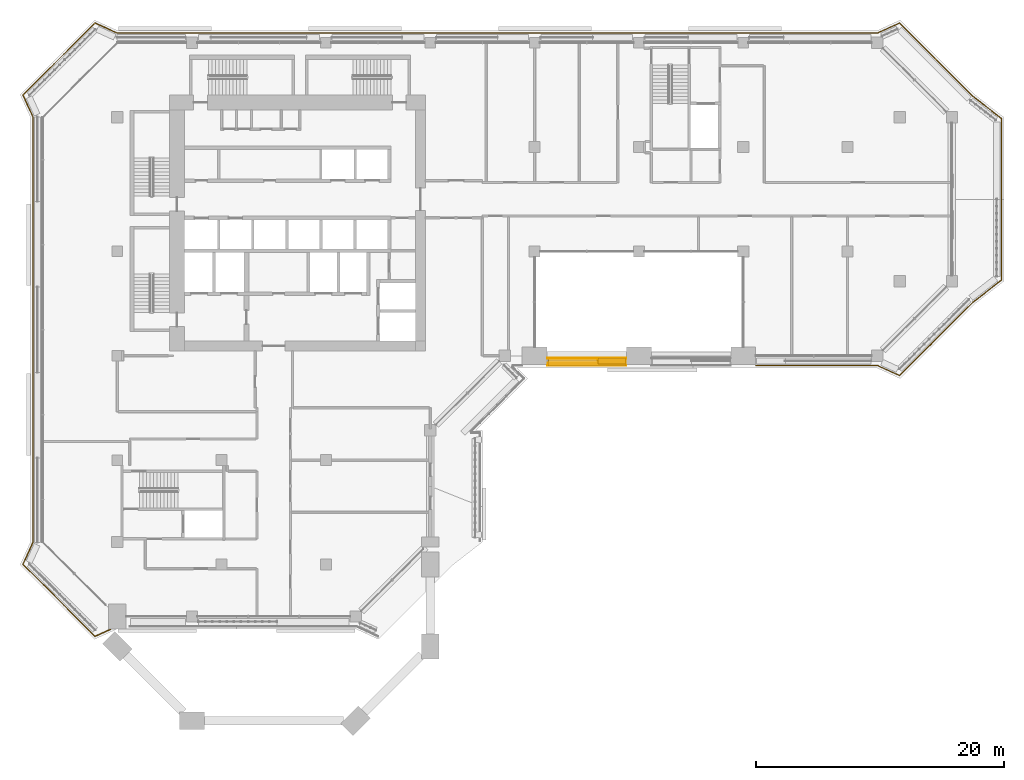
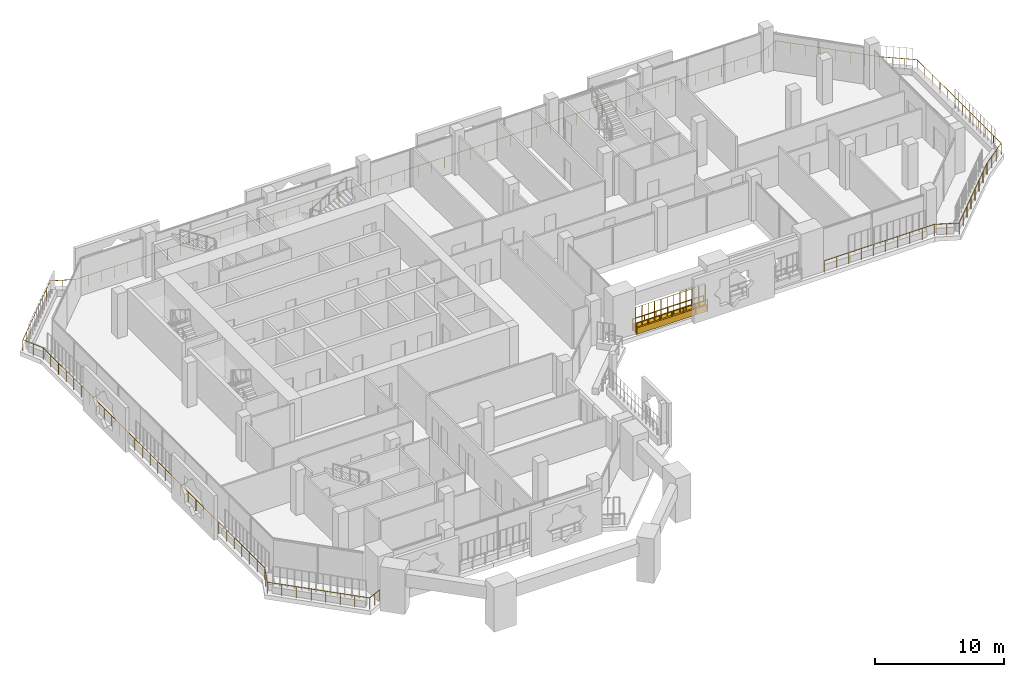
# One storey, part 19 of 23: 5 railings, 3 coverings.
"""IFC4 building model written with IfcOpenShell, lengths in metres."""

from ifc_helpers import new_model, si_unit, direction, frame, origin, origin_2d, place, context, subcontext, project, spatial, rectangle, circle, extrude, material, material_profile, profile_set, type_object, element, save


model = new_model("IFC4")

# Units and contexts
model_context = context("Model", 3, precision=1e-05, world=origin(), true_north=direction((0.0, 1.0)))
body_context = subcontext(model_context, "Body", "Model", "MODEL_VIEW")
ifc_project = project(units=[si_unit("LENGTHUNIT", "METRE"), si_unit("AREAUNIT", "SQUARE_METRE"), si_unit("VOLUMEUNIT", "CUBIC_METRE"), si_unit("PLANEANGLEUNIT", "RADIAN"), si_unit("MASSUNIT", "GRAM", prefix="KILO")], contexts=[model_context])

# Site, building, storey
site_placement = place(None, origin())
site = spatial("IfcSite", under=ifc_project, at=site_placement, CompositionType="ELEMENT")
building_placement = place(site_placement, origin())
building = spatial("IfcBuilding", under=site, at=building_placement, Name="Kawkab Arch Medical Tower", CompositionType="ELEMENT")
storey_placement = place(building_placement, frame((0.0, 0.0, 226.39990234375)))
storey = spatial("IfcBuildingStorey", under=building, at=storey_placement, Name="L52", CompositionType="ELEMENT", Elevation=226.39990234375)

# Railings
ifc_material_1 = material(Name="Bronze anodised aluminium guard", Category="aluminium")
railing_type_1 = type_object("IfcRailingType", Name="Loggia and terrace guard 1100", PredefinedType="GUARDRAIL", material=ifc_material_1)
railing_1_placement = place(storey_placement, frame((34.6298828125, -25.39990234375, 0.0)))
element("IfcRailing", 1, at=railing_1_placement, inside=storey, type_object=railing_type_1, Name="Guard L52.LOG-01.1.1", PredefinedType="GUARDRAIL", context=body_context, shape_type="SweptSolid", body=[
    extrude(circle(Radius=0.02392578125, at=origin_2d()), frame((0.0, 0.0, 1.076171875), z_axis=(1.0, 0.0, 0.0), x_axis=(0.0, 1.0, 0.0)), (0.0, 0.0, 1.0), 6.340087890625),
    extrude(circle(Radius=0.02099609375, at=origin_2d()), origin(), (0.0, 0.0, 1.0), 1.052001953125),
    extrude(circle(Radius=0.02099609375, at=origin_2d()), frame((1.056640625, 0.0, 0.0)), (0.0, 0.0, 1.0), 1.052001953125),
    extrude(circle(Radius=0.02099609375, at=origin_2d()), frame((2.11328125, 0.0, 0.0)), (0.0, 0.0, 1.0), 1.052001953125),
    extrude(circle(Radius=0.02099609375, at=origin_2d()), frame((3.169921875, 0.0, 0.0)), (0.0, 0.0, 1.0), 1.052001953125),
    extrude(circle(Radius=0.02099609375, at=origin_2d()), frame((4.226806640625, 0.0, 0.0)), (0.0, 0.0, 1.0), 1.052001953125),
    extrude(circle(Radius=0.02099609375, at=origin_2d()), frame((5.283447265625, 0.0, 0.0)), (0.0, 0.0, 1.0), 1.052001953125),
    extrude(circle(Radius=0.02099609375, at=origin_2d()), frame((6.340087890625, 0.0, 0.0)), (0.0, 0.0, 1.0), 1.052001953125),
])
railing_2_placement = place(storey_placement, frame((-0.548095703125, -47.22998046875, 0.0)))
element("IfcRailing", 2, at=railing_2_placement, inside=storey, type_object=railing_type_1, Name="Guard L52.LOG-01.2.2", PredefinedType="GUARDRAIL", context=body_context, shape_type="SweptSolid", body=[
    extrude(circle(Radius=0.02392578125, at=origin_2d()), frame((0.0, 0.0, 1.076171875), z_axis=(-0.909987760209, -0.4146351122, 0.0), x_axis=(0.4146351122, -0.909987760209, 0.0)), (0.0, 0.0, 1.0), 1.3701171875),
    extrude(circle(Radius=0.02392578125, at=origin_2d()), frame((-1.246826171875, -0.568115234375, 1.076171875), z_axis=(-0.707106781187, 0.707106781187, 0.0), x_axis=(-0.707106781187, -0.707106781187, 0.0)), (0.0, 0.0, 1.0), 8.20654296875),
    extrude(circle(Radius=0.02392578125, at=origin_2d()), frame((-7.0498046875, 5.23486328125, 1.076171875), z_axis=(0.414404752076, 0.910092688388, 0.0), x_axis=(-0.910092688388, 0.414404752076, 0.0)), (0.0, 0.0, 1.0), 1.92529296875),
    extrude(circle(Radius=0.02392578125, at=origin_2d()), frame((-6.251953125, 6.987060546875, 1.076171875), z_axis=(0.0, 1.0, 0.0), x_axis=(-1.0, 0.0, 0.0)), (0.0, 0.0, 1.0), 34.285888671875),
    extrude(circle(Radius=0.02392578125, at=origin_2d()), frame((-6.251953125, 41.27294921875, 1.076171875), z_axis=(-0.414452581809, 0.910070907914, 0.0), x_axis=(-0.910070907914, -0.414452581809, 0.0)), (0.0, 0.0, 1.0), 1.925048828125),
    extrude(circle(Radius=0.02392578125, at=origin_2d()), frame((-7.0498046875, 43.02490234375, 1.076171875), z_axis=(0.707106781187, 0.707106781187, 0.0), x_axis=(-0.707106781187, 0.707106781187, 0.0)), (0.0, 0.0, 1.0), 8.20654296875),
    extrude(circle(Radius=0.02392578125, at=origin_2d()), frame((-1.246826171875, 48.827880859375, 1.076171875), z_axis=(0.910070907914, -0.414452581809, 0.0), x_axis=(0.414452581809, 0.910070907914, 0.0)), (0.0, 0.0, 1.0), 1.925048828125),
    extrude(circle(Radius=0.02392578125, at=origin_2d()), frame((0.505126953125, 48.030029296875, 1.076171875), z_axis=(1.0, 0.0, 0.0), x_axis=(0.0, 1.0, 0.0)), (0.0, 0.0, 1.0), 61.285888671875),
    extrude(circle(Radius=0.02392578125, at=origin_2d()), frame((61.791015625, 48.030029296875, 1.076171875), z_axis=(0.910092688388, 0.414404752076, 0.0), x_axis=(-0.414404752076, 0.910092688388, 0.0)), (0.0, 0.0, 1.0), 1.92529296875),
    extrude(circle(Radius=0.02392578125, at=origin_2d()), frame((63.543212890625, 48.827880859375, 1.076171875), z_axis=(0.707106781187, -0.707106781187, 0.0), x_axis=(0.707106781187, 0.707106781187, 0.0)), (0.0, 0.0, 1.0), 8.35791015625),
    extrude(circle(Radius=0.02392578125, at=origin_2d()), frame((69.453125, 42.91796875, 1.076171875), z_axis=(0.789193964876, -0.614144026922, 0.0), x_axis=(0.614144026922, 0.789193964876, 0.0)), (0.0, 0.0, 1.0), 2.907958984375),
    extrude(circle(Radius=0.02392578125, at=origin_2d()), frame((71.748046875, 41.132080078125, 1.076171875), z_axis=(0.0, -1.0, 0.0), x_axis=(1.0, 0.0, 0.0)), (0.0, 0.0, 1.0), 13.004150390625),
    extrude(circle(Radius=0.02392578125, at=origin_2d()), frame((71.748046875, 28.1279296875, 1.076171875), z_axis=(-0.789193964876, -0.614144026922, 0.0), x_axis=(0.614144026922, -0.789193964876, 0.0)), (0.0, 0.0, 1.0), 2.907958984375),
    extrude(circle(Radius=0.02392578125, at=origin_2d()), frame((69.453125, 26.342041015625, 1.076171875), z_axis=(-0.707092175918, -0.707121386154, 0.0), x_axis=(0.707121386154, -0.707092175918, 0.0)), (0.0, 0.0, 1.0), 8.358154296875),
    extrude(circle(Radius=0.02392578125, at=origin_2d()), frame((63.543212890625, 20.431884765625, 1.076171875), z_axis=(-0.910044860056, 0.414509773934, 0.0), x_axis=(-0.414509773934, -0.910044860056, 0.0)), (0.0, 0.0, 1.0), 1.92529296875),
    extrude(circle(Radius=0.02392578125, at=origin_2d()), frame((61.791015625, 21.22998046875, 1.076171875), z_axis=(-1.0, 0.0, 0.0), x_axis=(0.0, -1.0, 0.0)), (0.0, 0.0, 1.0), 9.81298828125),
    extrude(circle(Radius=0.02099609375, at=origin_2d()), origin(), (0.0, 0.0, 1.0), 1.052001953125),
    extrude(circle(Radius=0.02099609375, at=origin_2d()), frame((-0.62353515625, -0.2841796875, 0.0)), (0.0, 0.0, 1.0), 1.052001953125),
    extrude(circle(Radius=0.02099609375, at=origin_2d()), frame((-1.246826171875, -0.568115234375, 0.0)), (0.0, 0.0, 1.0), 1.052001953125),
    extrude(circle(Radius=0.02099609375, at=origin_2d()), frame((-2.075927734375, 0.260986328125, 0.0)), (0.0, 0.0, 1.0), 1.052001953125),
    extrude(circle(Radius=0.02099609375, at=origin_2d()), frame((-2.90478515625, 1.08984375, 0.0)), (0.0, 0.0, 1.0), 1.052001953125),
    extrude(circle(Radius=0.02099609375, at=origin_2d()), frame((-3.73388671875, 1.9189453125, 0.0)), (0.0, 0.0, 1.0), 1.052001953125),
    extrude(circle(Radius=0.02099609375, at=origin_2d()), frame((-4.562744140625, 2.747802734375, 0.0)), (0.0, 0.0, 1.0), 1.052001953125),
    extrude(circle(Radius=0.02099609375, at=origin_2d()), frame((-5.391845703125, 3.576904296875, 0.0)), (0.0, 0.0, 1.0), 1.052001953125),
    extrude(circle(Radius=0.02099609375, at=origin_2d()), frame((-6.220703125, 4.40576171875, 0.0)), (0.0, 0.0, 1.0), 1.052001953125),
    extrude(circle(Radius=0.02099609375, at=origin_2d()), frame((-7.0498046875, 5.23486328125, 0.0)), (0.0, 0.0, 1.0), 1.052001953125),
    extrude(circle(Radius=0.02099609375, at=origin_2d()), frame((-6.65087890625, 6.11083984375, 0.0)), (0.0, 0.0, 1.0), 1.052001953125),
    extrude(circle(Radius=0.02099609375, at=origin_2d()), frame((-6.251953125, 6.987060546875, 0.0)), (0.0, 0.0, 1.0), 1.052001953125),
    extrude(circle(Radius=0.02099609375, at=origin_2d()), frame((-6.251953125, 8.16943359375, 0.0)), (0.0, 0.0, 1.0), 1.052001953125),
    extrude(circle(Radius=0.02099609375, at=origin_2d()), frame((-6.251953125, 9.3515625, 0.0)), (0.0, 0.0, 1.0), 1.052001953125),
    extrude(circle(Radius=0.02099609375, at=origin_2d()), frame((-6.251953125, 10.533935546875, 0.0)), (0.0, 0.0, 1.0), 1.052001953125),
    extrude(circle(Radius=0.02099609375, at=origin_2d()), frame((-6.251953125, 11.716064453125, 0.0)), (0.0, 0.0, 1.0), 1.052001953125),
    extrude(circle(Radius=0.02099609375, at=origin_2d()), frame((-6.251953125, 12.8984375, 0.0)), (0.0, 0.0, 1.0), 1.052001953125),
    extrude(circle(Radius=0.02099609375, at=origin_2d()), frame((-6.251953125, 14.080810546875, 0.0)), (0.0, 0.0, 1.0), 1.052001953125),
    extrude(circle(Radius=0.02099609375, at=origin_2d()), frame((-6.251953125, 15.262939453125, 0.0)), (0.0, 0.0, 1.0), 1.052001953125),
    extrude(circle(Radius=0.02099609375, at=origin_2d()), frame((-6.251953125, 16.4453125, 0.0)), (0.0, 0.0, 1.0), 1.052001953125),
    extrude(circle(Radius=0.02099609375, at=origin_2d()), frame((-6.251953125, 17.62744140625, 0.0)), (0.0, 0.0, 1.0), 1.052001953125),
    extrude(circle(Radius=0.02099609375, at=origin_2d()), frame((-6.251953125, 18.809814453125, 0.0)), (0.0, 0.0, 1.0), 1.052001953125),
    extrude(circle(Radius=0.02099609375, at=origin_2d()), frame((-6.251953125, 19.991943359375, 0.0)), (0.0, 0.0, 1.0), 1.052001953125),
    extrude(circle(Radius=0.02099609375, at=origin_2d()), frame((-6.251953125, 21.17431640625, 0.0)), (0.0, 0.0, 1.0), 1.052001953125),
    extrude(circle(Radius=0.02099609375, at=origin_2d()), frame((-6.251953125, 22.356689453125, 0.0)), (0.0, 0.0, 1.0), 1.052001953125),
    extrude(circle(Radius=0.02099609375, at=origin_2d()), frame((-6.251953125, 23.538818359375, 0.0)), (0.0, 0.0, 1.0), 1.052001953125),
    extrude(circle(Radius=0.02099609375, at=origin_2d()), frame((-6.251953125, 24.72119140625, 0.0)), (0.0, 0.0, 1.0), 1.052001953125),
    extrude(circle(Radius=0.02099609375, at=origin_2d()), frame((-6.251953125, 25.9033203125, 0.0)), (0.0, 0.0, 1.0), 1.052001953125),
    extrude(circle(Radius=0.02099609375, at=origin_2d()), frame((-6.251953125, 27.085693359375, 0.0)), (0.0, 0.0, 1.0), 1.052001953125),
    extrude(circle(Radius=0.02099609375, at=origin_2d()), frame((-6.251953125, 28.26806640625, 0.0)), (0.0, 0.0, 1.0), 1.052001953125),
    extrude(circle(Radius=0.02099609375, at=origin_2d()), frame((-6.251953125, 29.4501953125, 0.0)), (0.0, 0.0, 1.0), 1.052001953125),
    extrude(circle(Radius=0.02099609375, at=origin_2d()), frame((-6.251953125, 30.632568359375, 0.0)), (0.0, 0.0, 1.0), 1.052001953125),
    extrude(circle(Radius=0.02099609375, at=origin_2d()), frame((-6.251953125, 31.814697265625, 0.0)), (0.0, 0.0, 1.0), 1.052001953125),
    extrude(circle(Radius=0.02099609375, at=origin_2d()), frame((-6.251953125, 32.9970703125, 0.0)), (0.0, 0.0, 1.0), 1.052001953125),
    extrude(circle(Radius=0.02099609375, at=origin_2d()), frame((-6.251953125, 34.17919921875, 0.0)), (0.0, 0.0, 1.0), 1.052001953125),
    extrude(circle(Radius=0.02099609375, at=origin_2d()), frame((-6.251953125, 35.361572265625, 0.0)), (0.0, 0.0, 1.0), 1.052001953125),
    extrude(circle(Radius=0.02099609375, at=origin_2d()), frame((-6.251953125, 36.5439453125, 0.0)), (0.0, 0.0, 1.0), 1.052001953125),
    extrude(circle(Radius=0.02099609375, at=origin_2d()), frame((-6.251953125, 37.72607421875, 0.0)), (0.0, 0.0, 1.0), 1.052001953125),
    extrude(circle(Radius=0.02099609375, at=origin_2d()), frame((-6.251953125, 38.908447265625, 0.0)), (0.0, 0.0, 1.0), 1.052001953125),
    extrude(circle(Radius=0.02099609375, at=origin_2d()), frame((-6.251953125, 40.090576171875, 0.0)), (0.0, 0.0, 1.0), 1.052001953125),
    extrude(circle(Radius=0.02099609375, at=origin_2d()), frame((-6.251953125, 41.27294921875, 0.0)), (0.0, 0.0, 1.0), 1.052001953125),
    extrude(circle(Radius=0.02099609375, at=origin_2d()), frame((-6.65087890625, 42.14892578125, 0.0)), (0.0, 0.0, 1.0), 1.052001953125),
    extrude(circle(Radius=0.02099609375, at=origin_2d()), frame((-7.0498046875, 43.02490234375, 0.0)), (0.0, 0.0, 1.0), 1.052001953125),
    extrude(circle(Radius=0.02099609375, at=origin_2d()), frame((-6.220703125, 43.85400390625, 0.0)), (0.0, 0.0, 1.0), 1.052001953125),
    extrude(circle(Radius=0.02099609375, at=origin_2d()), frame((-5.391845703125, 44.682861328125, 0.0)), (0.0, 0.0, 1.0), 1.052001953125),
    extrude(circle(Radius=0.02099609375, at=origin_2d()), frame((-4.562744140625, 45.511962890625, 0.0)), (0.0, 0.0, 1.0), 1.052001953125),
    extrude(circle(Radius=0.02099609375, at=origin_2d()), frame((-3.73388671875, 46.3408203125, 0.0)), (0.0, 0.0, 1.0), 1.052001953125),
    extrude(circle(Radius=0.02099609375, at=origin_2d()), frame((-2.90478515625, 47.169921875, 0.0)), (0.0, 0.0, 1.0), 1.052001953125),
    extrude(circle(Radius=0.02099609375, at=origin_2d()), frame((-2.075927734375, 47.998779296875, 0.0)), (0.0, 0.0, 1.0), 1.052001953125),
    extrude(circle(Radius=0.02099609375, at=origin_2d()), frame((-1.246826171875, 48.827880859375, 0.0)), (0.0, 0.0, 1.0), 1.052001953125),
    extrude(circle(Radius=0.02099609375, at=origin_2d()), frame((-0.370849609375, 48.428955078125, 0.0)), (0.0, 0.0, 1.0), 1.052001953125),
    extrude(circle(Radius=0.02099609375, at=origin_2d()), frame((0.505126953125, 48.030029296875, 0.0)), (0.0, 0.0, 1.0), 1.052001953125),
    extrude(circle(Radius=0.02099609375, at=origin_2d()), frame((1.68359375, 48.030029296875, 0.0)), (0.0, 0.0, 1.0), 1.052001953125),
    extrude(circle(Radius=0.02099609375, at=origin_2d()), frame((2.8623046875, 48.030029296875, 0.0)), (0.0, 0.0, 1.0), 1.052001953125),
    extrude(circle(Radius=0.02099609375, at=origin_2d()), frame((4.040771484375, 48.030029296875, 0.0)), (0.0, 0.0, 1.0), 1.052001953125),
    extrude(circle(Radius=0.02099609375, at=origin_2d()), frame((5.219482421875, 48.030029296875, 0.0)), (0.0, 0.0, 1.0), 1.052001953125),
    extrude(circle(Radius=0.02099609375, at=origin_2d()), frame((6.39794921875, 48.030029296875, 0.0)), (0.0, 0.0, 1.0), 1.052001953125),
    extrude(circle(Radius=0.02099609375, at=origin_2d()), frame((7.57666015625, 48.030029296875, 0.0)), (0.0, 0.0, 1.0), 1.052001953125),
    extrude(circle(Radius=0.02099609375, at=origin_2d()), frame((8.755126953125, 48.030029296875, 0.0)), (0.0, 0.0, 1.0), 1.052001953125),
    extrude(circle(Radius=0.02099609375, at=origin_2d()), frame((9.933837890625, 48.030029296875, 0.0)), (0.0, 0.0, 1.0), 1.052001953125),
    extrude(circle(Radius=0.02099609375, at=origin_2d()), frame((11.1123046875, 48.030029296875, 0.0)), (0.0, 0.0, 1.0), 1.052001953125),
    extrude(circle(Radius=0.02099609375, at=origin_2d()), frame((12.290771484375, 48.030029296875, 0.0)), (0.0, 0.0, 1.0), 1.052001953125),
    extrude(circle(Radius=0.02099609375, at=origin_2d()), frame((13.469482421875, 48.030029296875, 0.0)), (0.0, 0.0, 1.0), 1.052001953125),
    extrude(circle(Radius=0.02099609375, at=origin_2d()), frame((14.64794921875, 48.030029296875, 0.0)), (0.0, 0.0, 1.0), 1.052001953125),
    extrude(circle(Radius=0.02099609375, at=origin_2d()), frame((15.82666015625, 48.030029296875, 0.0)), (0.0, 0.0, 1.0), 1.052001953125),
    extrude(circle(Radius=0.02099609375, at=origin_2d()), frame((17.005126953125, 48.030029296875, 0.0)), (0.0, 0.0, 1.0), 1.052001953125),
    extrude(circle(Radius=0.02099609375, at=origin_2d()), frame((18.183837890625, 48.030029296875, 0.0)), (0.0, 0.0, 1.0), 1.052001953125),
    extrude(circle(Radius=0.02099609375, at=origin_2d()), frame((19.3623046875, 48.030029296875, 0.0)), (0.0, 0.0, 1.0), 1.052001953125),
    extrude(circle(Radius=0.02099609375, at=origin_2d()), frame((20.541015625, 48.030029296875, 0.0)), (0.0, 0.0, 1.0), 1.052001953125),
    extrude(circle(Radius=0.02099609375, at=origin_2d()), frame((21.719482421875, 48.030029296875, 0.0)), (0.0, 0.0, 1.0), 1.052001953125),
    extrude(circle(Radius=0.02099609375, at=origin_2d()), frame((22.89794921875, 48.030029296875, 0.0)), (0.0, 0.0, 1.0), 1.052001953125),
    extrude(circle(Radius=0.02099609375, at=origin_2d()), frame((24.07666015625, 48.030029296875, 0.0)), (0.0, 0.0, 1.0), 1.052001953125),
    extrude(circle(Radius=0.02099609375, at=origin_2d()), frame((25.255126953125, 48.030029296875, 0.0)), (0.0, 0.0, 1.0), 1.052001953125),
    extrude(circle(Radius=0.02099609375, at=origin_2d()), frame((26.433837890625, 48.030029296875, 0.0)), (0.0, 0.0, 1.0), 1.052001953125),
    extrude(circle(Radius=0.02099609375, at=origin_2d()), frame((27.6123046875, 48.030029296875, 0.0)), (0.0, 0.0, 1.0), 1.052001953125),
    extrude(circle(Radius=0.02099609375, at=origin_2d()), frame((28.791015625, 48.030029296875, 0.0)), (0.0, 0.0, 1.0), 1.052001953125),
    extrude(circle(Radius=0.02099609375, at=origin_2d()), frame((29.969482421875, 48.030029296875, 0.0)), (0.0, 0.0, 1.0), 1.052001953125),
    extrude(circle(Radius=0.02099609375, at=origin_2d()), frame((31.14794921875, 48.030029296875, 0.0)), (0.0, 0.0, 1.0), 1.052001953125),
    extrude(circle(Radius=0.02099609375, at=origin_2d()), frame((32.32666015625, 48.030029296875, 0.0)), (0.0, 0.0, 1.0), 1.052001953125),
    extrude(circle(Radius=0.02099609375, at=origin_2d()), frame((33.505126953125, 48.030029296875, 0.0)), (0.0, 0.0, 1.0), 1.052001953125),
    extrude(circle(Radius=0.02099609375, at=origin_2d()), frame((34.683837890625, 48.030029296875, 0.0)), (0.0, 0.0, 1.0), 1.052001953125),
    extrude(circle(Radius=0.02099609375, at=origin_2d()), frame((35.8623046875, 48.030029296875, 0.0)), (0.0, 0.0, 1.0), 1.052001953125),
    extrude(circle(Radius=0.02099609375, at=origin_2d()), frame((37.041015625, 48.030029296875, 0.0)), (0.0, 0.0, 1.0), 1.052001953125),
    extrude(circle(Radius=0.02099609375, at=origin_2d()), frame((38.219482421875, 48.030029296875, 0.0)), (0.0, 0.0, 1.0), 1.052001953125),
    extrude(circle(Radius=0.02099609375, at=origin_2d()), frame((39.398193359375, 48.030029296875, 0.0)), (0.0, 0.0, 1.0), 1.052001953125),
    extrude(circle(Radius=0.02099609375, at=origin_2d()), frame((40.57666015625, 48.030029296875, 0.0)), (0.0, 0.0, 1.0), 1.052001953125),
    extrude(circle(Radius=0.02099609375, at=origin_2d()), frame((41.755126953125, 48.030029296875, 0.0)), (0.0, 0.0, 1.0), 1.052001953125),
    extrude(circle(Radius=0.02099609375, at=origin_2d()), frame((42.933837890625, 48.030029296875, 0.0)), (0.0, 0.0, 1.0), 1.052001953125),
    extrude(circle(Radius=0.02099609375, at=origin_2d()), frame((44.1123046875, 48.030029296875, 0.0)), (0.0, 0.0, 1.0), 1.052001953125),
    extrude(circle(Radius=0.02099609375, at=origin_2d()), frame((45.291015625, 48.030029296875, 0.0)), (0.0, 0.0, 1.0), 1.052001953125),
    extrude(circle(Radius=0.02099609375, at=origin_2d()), frame((46.469482421875, 48.030029296875, 0.0)), (0.0, 0.0, 1.0), 1.052001953125),
    extrude(circle(Radius=0.02099609375, at=origin_2d()), frame((47.648193359375, 48.030029296875, 0.0)), (0.0, 0.0, 1.0), 1.052001953125),
    extrude(circle(Radius=0.02099609375, at=origin_2d()), frame((48.82666015625, 48.030029296875, 0.0)), (0.0, 0.0, 1.0), 1.052001953125),
    extrude(circle(Radius=0.02099609375, at=origin_2d()), frame((50.00537109375, 48.030029296875, 0.0)), (0.0, 0.0, 1.0), 1.052001953125),
    extrude(circle(Radius=0.02099609375, at=origin_2d()), frame((51.183837890625, 48.030029296875, 0.0)), (0.0, 0.0, 1.0), 1.052001953125),
    extrude(circle(Radius=0.02099609375, at=origin_2d()), frame((52.3623046875, 48.030029296875, 0.0)), (0.0, 0.0, 1.0), 1.052001953125),
    extrude(circle(Radius=0.02099609375, at=origin_2d()), frame((53.541015625, 48.030029296875, 0.0)), (0.0, 0.0, 1.0), 1.052001953125),
    extrude(circle(Radius=0.02099609375, at=origin_2d()), frame((54.719482421875, 48.030029296875, 0.0)), (0.0, 0.0, 1.0), 1.052001953125),
    extrude(circle(Radius=0.02099609375, at=origin_2d()), frame((55.898193359375, 48.030029296875, 0.0)), (0.0, 0.0, 1.0), 1.052001953125),
    extrude(circle(Radius=0.02099609375, at=origin_2d()), frame((57.07666015625, 48.030029296875, 0.0)), (0.0, 0.0, 1.0), 1.052001953125),
    extrude(circle(Radius=0.02099609375, at=origin_2d()), frame((58.25537109375, 48.030029296875, 0.0)), (0.0, 0.0, 1.0), 1.052001953125),
    extrude(circle(Radius=0.02099609375, at=origin_2d()), frame((59.433837890625, 48.030029296875, 0.0)), (0.0, 0.0, 1.0), 1.052001953125),
    extrude(circle(Radius=0.02099609375, at=origin_2d()), frame((60.612548828125, 48.030029296875, 0.0)), (0.0, 0.0, 1.0), 1.052001953125),
    extrude(circle(Radius=0.02099609375, at=origin_2d()), frame((61.791015625, 48.030029296875, 0.0)), (0.0, 0.0, 1.0), 1.052001953125),
    extrude(circle(Radius=0.02099609375, at=origin_2d()), frame((62.6669921875, 48.428955078125, 0.0)), (0.0, 0.0, 1.0), 1.052001953125),
    extrude(circle(Radius=0.02099609375, at=origin_2d()), frame((63.543212890625, 48.827880859375, 0.0)), (0.0, 0.0, 1.0), 1.052001953125),
    extrude(circle(Radius=0.02099609375, at=origin_2d()), frame((64.387451171875, 47.983642578125, 0.0)), (0.0, 0.0, 1.0), 1.052001953125),
    extrude(circle(Radius=0.02099609375, at=origin_2d()), frame((65.231689453125, 47.139404296875, 0.0)), (0.0, 0.0, 1.0), 1.052001953125),
    extrude(circle(Radius=0.02099609375, at=origin_2d()), frame((66.075927734375, 46.295166015625, 0.0)), (0.0, 0.0, 1.0), 1.052001953125),
    extrude(circle(Radius=0.02099609375, at=origin_2d()), frame((66.92041015625, 45.45068359375, 0.0)), (0.0, 0.0, 1.0), 1.052001953125),
    extrude(circle(Radius=0.02099609375, at=origin_2d()), frame((67.7646484375, 44.6064453125, 0.0)), (0.0, 0.0, 1.0), 1.052001953125),
    extrude(circle(Radius=0.02099609375, at=origin_2d()), frame((68.60888671875, 43.76220703125, 0.0)), (0.0, 0.0, 1.0), 1.052001953125),
    extrude(circle(Radius=0.02099609375, at=origin_2d()), frame((69.453125, 42.91796875, 0.0)), (0.0, 0.0, 1.0), 1.052001953125),
    extrude(circle(Radius=0.02099609375, at=origin_2d()), frame((70.218017578125, 42.32275390625, 0.0)), (0.0, 0.0, 1.0), 1.052001953125),
    extrude(circle(Radius=0.02099609375, at=origin_2d()), frame((70.983154296875, 41.727294921875, 0.0)), (0.0, 0.0, 1.0), 1.052001953125),
    extrude(circle(Radius=0.02099609375, at=origin_2d()), frame((71.748046875, 41.132080078125, 0.0)), (0.0, 0.0, 1.0), 1.052001953125),
    extrude(circle(Radius=0.02099609375, at=origin_2d()), frame((71.748046875, 39.949951171875, 0.0)), (0.0, 0.0, 1.0), 1.052001953125),
    extrude(circle(Radius=0.02099609375, at=origin_2d()), frame((71.748046875, 38.767578125, 0.0)), (0.0, 0.0, 1.0), 1.052001953125),
    extrude(circle(Radius=0.02099609375, at=origin_2d()), frame((71.748046875, 37.58544921875, 0.0)), (0.0, 0.0, 1.0), 1.052001953125),
    extrude(circle(Radius=0.02099609375, at=origin_2d()), frame((71.748046875, 36.4033203125, 0.0)), (0.0, 0.0, 1.0), 1.052001953125),
    extrude(circle(Radius=0.02099609375, at=origin_2d()), frame((71.748046875, 35.22119140625, 0.0)), (0.0, 0.0, 1.0), 1.052001953125),
    extrude(circle(Radius=0.02099609375, at=origin_2d()), frame((71.748046875, 34.038818359375, 0.0)), (0.0, 0.0, 1.0), 1.052001953125),
    extrude(circle(Radius=0.02099609375, at=origin_2d()), frame((71.748046875, 32.856689453125, 0.0)), (0.0, 0.0, 1.0), 1.052001953125),
    extrude(circle(Radius=0.02099609375, at=origin_2d()), frame((71.748046875, 31.674560546875, 0.0)), (0.0, 0.0, 1.0), 1.052001953125),
    extrude(circle(Radius=0.02099609375, at=origin_2d()), frame((71.748046875, 30.492431640625, 0.0)), (0.0, 0.0, 1.0), 1.052001953125),
    extrude(circle(Radius=0.02099609375, at=origin_2d()), frame((71.748046875, 29.31005859375, 0.0)), (0.0, 0.0, 1.0), 1.052001953125),
    extrude(circle(Radius=0.02099609375, at=origin_2d()), frame((71.748046875, 28.1279296875, 0.0)), (0.0, 0.0, 1.0), 1.052001953125),
    extrude(circle(Radius=0.02099609375, at=origin_2d()), frame((70.983154296875, 27.53271484375, 0.0)), (0.0, 0.0, 1.0), 1.052001953125),
    extrude(circle(Radius=0.02099609375, at=origin_2d()), frame((70.218017578125, 26.937255859375, 0.0)), (0.0, 0.0, 1.0), 1.052001953125),
    extrude(circle(Radius=0.02099609375, at=origin_2d()), frame((69.453125, 26.342041015625, 0.0)), (0.0, 0.0, 1.0), 1.052001953125),
    extrude(circle(Radius=0.02099609375, at=origin_2d()), frame((68.60888671875, 25.497802734375, 0.0)), (0.0, 0.0, 1.0), 1.052001953125),
    extrude(circle(Radius=0.02099609375, at=origin_2d()), frame((67.7646484375, 24.6533203125, 0.0)), (0.0, 0.0, 1.0), 1.052001953125),
    extrude(circle(Radius=0.02099609375, at=origin_2d()), frame((66.92041015625, 23.80908203125, 0.0)), (0.0, 0.0, 1.0), 1.052001953125),
    extrude(circle(Radius=0.02099609375, at=origin_2d()), frame((66.075927734375, 22.96484375, 0.0)), (0.0, 0.0, 1.0), 1.052001953125),
    extrude(circle(Radius=0.02099609375, at=origin_2d()), frame((65.231689453125, 22.12060546875, 0.0)), (0.0, 0.0, 1.0), 1.052001953125),
    extrude(circle(Radius=0.02099609375, at=origin_2d()), frame((64.387451171875, 21.276123046875, 0.0)), (0.0, 0.0, 1.0), 1.052001953125),
    extrude(circle(Radius=0.02099609375, at=origin_2d()), frame((63.543212890625, 20.431884765625, 0.0)), (0.0, 0.0, 1.0), 1.052001953125),
    extrude(circle(Radius=0.02099609375, at=origin_2d()), frame((62.6669921875, 20.8310546875, 0.0)), (0.0, 0.0, 1.0), 1.052001953125),
    extrude(circle(Radius=0.02099609375, at=origin_2d()), frame((61.791015625, 21.22998046875, 0.0)), (0.0, 0.0, 1.0), 1.052001953125),
    extrude(circle(Radius=0.02099609375, at=origin_2d()), frame((60.70068359375, 21.22998046875, 0.0)), (0.0, 0.0, 1.0), 1.052001953125),
    extrude(circle(Radius=0.02099609375, at=origin_2d()), frame((59.6103515625, 21.22998046875, 0.0)), (0.0, 0.0, 1.0), 1.052001953125),
    extrude(circle(Radius=0.02099609375, at=origin_2d()), frame((58.52001953125, 21.22998046875, 0.0)), (0.0, 0.0, 1.0), 1.052001953125),
    extrude(circle(Radius=0.02099609375, at=origin_2d()), frame((57.4296875, 21.22998046875, 0.0)), (0.0, 0.0, 1.0), 1.052001953125),
    extrude(circle(Radius=0.02099609375, at=origin_2d()), frame((56.33935546875, 21.22998046875, 0.0)), (0.0, 0.0, 1.0), 1.052001953125),
    extrude(circle(Radius=0.02099609375, at=origin_2d()), frame((55.2490234375, 21.22998046875, 0.0)), (0.0, 0.0, 1.0), 1.052001953125),
    extrude(circle(Radius=0.02099609375, at=origin_2d()), frame((54.15869140625, 21.22998046875, 0.0)), (0.0, 0.0, 1.0), 1.052001953125),
    extrude(circle(Radius=0.02099609375, at=origin_2d()), frame((53.068359375, 21.22998046875, 0.0)), (0.0, 0.0, 1.0), 1.052001953125),
    extrude(circle(Radius=0.02099609375, at=origin_2d()), frame((51.97802734375, 21.22998046875, 0.0)), (0.0, 0.0, 1.0), 1.052001953125),
])
railing_3_placement = place(storey_placement, frame((40.969970703125, -26.0, 0.0)))
element("IfcRailing", 3, at=railing_3_placement, inside=storey, type_object=railing_type_1, Name="Guard L52.LOG-01.2.4", PredefinedType="GUARDRAIL", context=body_context, shape_type="SweptSolid", body=[
    extrude(circle(Radius=0.02392578125, at=origin_2d()), frame((0.0, 0.0, 1.076171875), z_axis=(-1.0, 0.0, 0.0), x_axis=(0.0, -1.0, 0.0)), (0.0, 0.0, 1.0), 6.340087890625),
    extrude(circle(Radius=0.02099609375, at=origin_2d()), origin(), (0.0, 0.0, 1.0), 1.052001953125),
    extrude(circle(Radius=0.02099609375, at=origin_2d()), frame((-1.056640625, 0.0, 0.0)), (0.0, 0.0, 1.0), 1.052001953125),
    extrude(circle(Radius=0.02099609375, at=origin_2d()), frame((-2.11328125, 0.0, 0.0)), (0.0, 0.0, 1.0), 1.052001953125),
    extrude(circle(Radius=0.02099609375, at=origin_2d()), frame((-3.169921875, 0.0, 0.0)), (0.0, 0.0, 1.0), 1.052001953125),
    extrude(circle(Radius=0.02099609375, at=origin_2d()), frame((-4.226806640625, 0.0, 0.0)), (0.0, 0.0, 1.0), 1.052001953125),
    extrude(circle(Radius=0.02099609375, at=origin_2d()), frame((-5.283447265625, 0.0, 0.0)), (0.0, 0.0, 1.0), 1.052001953125),
    extrude(circle(Radius=0.02099609375, at=origin_2d()), frame((-6.340087890625, 0.0, 0.0)), (0.0, 0.0, 1.0), 1.052001953125),
])

# Coverings
ifc_material_2 = material(Name="Planting soil in a precast trough", Category="concrete")
ifc_material_profile = material_profile(ifc_material_2, rectangle(XDim=0.5, YDim=0.60009765625, at=origin_2d()), Name="Trough 500x600")
ifc_profile_set = profile_set([ifc_material_profile], Name="Planting soil in a precast trough")
covering_type = type_object("IfcCoveringType", Name="Planter trough 500 x 600", PredefinedType="USERDEFINED", material=ifc_profile_set)
covering_1_placement = place(storey_placement, frame((34.679931640625, -25.780029296875, 0.300048828125), z_axis=(1.0, 0.0, 0.0), x_axis=(0.0, 1.0, 0.0)))
element("IfcCovering", 4, at=covering_1_placement, inside=storey, type_object=covering_type, Name="Planter L52.LOG-01-01.1", ObjectType="PLANTER", PredefinedType="USERDEFINED", context=body_context, shape_type="SweptSolid", body=[
    extrude(rectangle(XDim=0.5, YDim=0.60009765625, at=origin_2d()), origin(), (0.0, 0.0, 1.0), 6.239990234375),
])
covering_2_placement = place(storey_placement, frame((40.919921875, -25.6201171875, 0.300048828125), z_axis=(-1.0, 0.0, 0.0), x_axis=(0.0, -1.0, 0.0)))
element("IfcCovering", 5, at=covering_2_placement, inside=storey, type_object=covering_type, Name="Planter L52.LOG-01-02.41", ObjectType="PLANTER", PredefinedType="USERDEFINED", context=body_context, shape_type="SweptSolid", body=[
    extrude(rectangle(XDim=0.5, YDim=0.60009765625, at=origin_2d()), origin(), (0.0, 0.0, 1.0), 2.199951171875),
])
covering_3_placement = place(storey_placement, frame((38.719970703125, -25.6201171875, 0.300048828125), z_axis=(-1.0, 0.0, 0.0), x_axis=(0.0, -1.0, 0.0)))
element("IfcCovering", 6, at=covering_3_placement, inside=storey, type_object=covering_type, Name="Planter L52.LOG-01-02.42", ObjectType="PLANTER", PredefinedType="USERDEFINED", context=body_context, shape_type="SweptSolid", body=[
    extrude(rectangle(XDim=0.5, YDim=0.60009765625, at=origin_2d()), origin(), (0.0, 0.0, 1.0), 4.0400390625),
])

# Railings
ifc_material_3 = material(Name="Bronze anodised aluminium trellis for climbing plants", Category="aluminium")
railing_type_2 = type_object("IfcRailingType", Name="Planting trellis 2400", PredefinedType="USERDEFINED", material=ifc_material_3)
railing_4_placement = place(storey_placement, frame((34.679931640625, -25.780029296875, 0.0)))
element("IfcRailing", 7, at=railing_4_placement, inside=storey, type_object=railing_type_2, Name="Planting trellis L52.LOG-01-01.1", ObjectType="TRELLIS", PredefinedType="USERDEFINED", context=body_context, shape_type="SweptSolid", body=[
    extrude(circle(Radius=0.01513671875, at=origin_2d()), frame((0.0, 0.0, 2.384765625), z_axis=(1.0, 0.0, 0.0), x_axis=(0.0, 1.0, 0.0)), (0.0, 0.0, 1.0), 6.239990234375),
    extrude(circle(Radius=0.030029296875, at=origin_2d()), origin(), (0.0, 0.0, 1.0), 2.369873046875),
    extrude(circle(Radius=0.030029296875, at=origin_2d()), frame((0.5673828125, 0.0, 0.0)), (0.0, 0.0, 1.0), 2.369873046875),
    extrude(circle(Radius=0.030029296875, at=origin_2d()), frame((1.134521484375, 0.0, 0.0)), (0.0, 0.0, 1.0), 2.369873046875),
    extrude(circle(Radius=0.030029296875, at=origin_2d()), frame((1.701904296875, 0.0, 0.0)), (0.0, 0.0, 1.0), 2.369873046875),
    extrude(circle(Radius=0.030029296875, at=origin_2d()), frame((2.26904296875, 0.0, 0.0)), (0.0, 0.0, 1.0), 2.369873046875),
    extrude(circle(Radius=0.030029296875, at=origin_2d()), frame((2.83642578125, 0.0, 0.0)), (0.0, 0.0, 1.0), 2.369873046875),
    extrude(circle(Radius=0.030029296875, at=origin_2d()), frame((3.403564453125, 0.0, 0.0)), (0.0, 0.0, 1.0), 2.369873046875),
    extrude(circle(Radius=0.030029296875, at=origin_2d()), frame((3.970947265625, 0.0, 0.0)), (0.0, 0.0, 1.0), 2.369873046875),
    extrude(circle(Radius=0.030029296875, at=origin_2d()), frame((4.5380859375, 0.0, 0.0)), (0.0, 0.0, 1.0), 2.369873046875),
    extrude(circle(Radius=0.030029296875, at=origin_2d()), frame((5.10546875, 0.0, 0.0)), (0.0, 0.0, 1.0), 2.369873046875),
    extrude(circle(Radius=0.030029296875, at=origin_2d()), frame((5.672607421875, 0.0, 0.0)), (0.0, 0.0, 1.0), 2.369873046875),
    extrude(circle(Radius=0.030029296875, at=origin_2d()), frame((6.239990234375, 0.0, 0.0)), (0.0, 0.0, 1.0), 2.369873046875),
])
railing_5_placement = place(storey_placement, frame((40.919921875, -25.6201171875, 0.0)))
element("IfcRailing", 8, at=railing_5_placement, inside=storey, type_object=railing_type_2, Name="Planting trellis L52.LOG-01-02.41", ObjectType="TRELLIS", PredefinedType="USERDEFINED", context=body_context, shape_type="SweptSolid", body=[
    extrude(circle(Radius=0.01513671875, at=origin_2d()), frame((0.0, 0.0, 2.384765625), z_axis=(-1.0, 0.0, 0.0), x_axis=(0.0, -1.0, 0.0)), (0.0, 0.0, 1.0), 2.199951171875),
    extrude(circle(Radius=0.030029296875, at=origin_2d()), origin(), (0.0, 0.0, 1.0), 2.369873046875),
    extrude(circle(Radius=0.030029296875, at=origin_2d()), frame((-0.550048828125, 0.0, 0.0)), (0.0, 0.0, 1.0), 2.369873046875),
    extrude(circle(Radius=0.030029296875, at=origin_2d()), frame((-1.10009765625, 0.0, 0.0)), (0.0, 0.0, 1.0), 2.369873046875),
    extrude(circle(Radius=0.030029296875, at=origin_2d()), frame((-1.64990234375, 0.0, 0.0)), (0.0, 0.0, 1.0), 2.369873046875),
    extrude(circle(Radius=0.030029296875, at=origin_2d()), frame((-2.199951171875, 0.0, 0.0)), (0.0, 0.0, 1.0), 2.369873046875),
])

save(model, "model.ifc")
